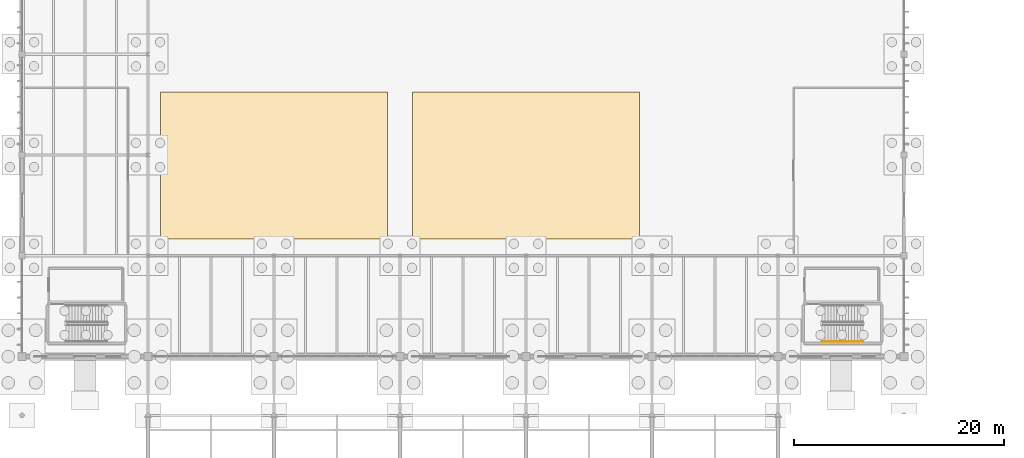
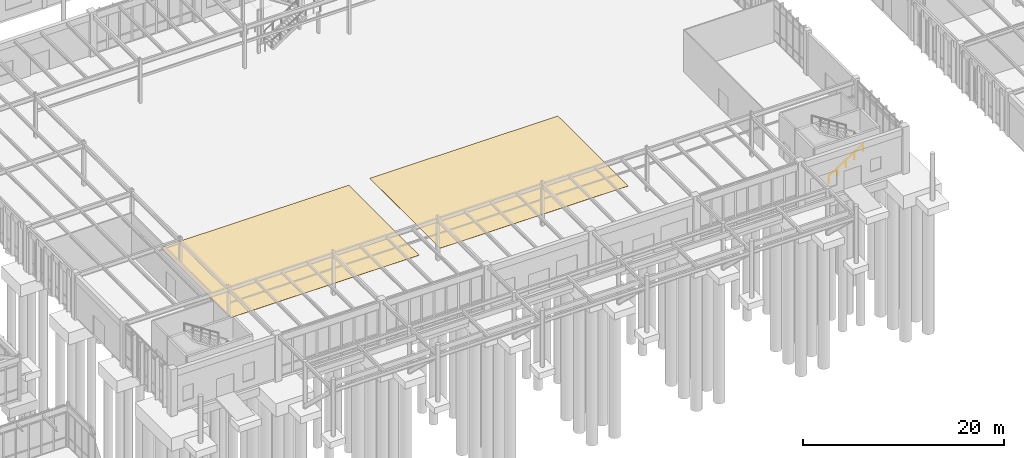
# One storey, part 175 of 188: 2 coverings, 1 railing.
"""IFC4 building model written with IfcOpenShell, lengths in metres."""

import ifcopenshell
import ifcopenshell.guid

model = None  # the IFC model being written
_history = None  # IfcOwnerHistory: only IFC2X3 demands one
_inside = {}  # id of a spatial element -> (the spatial element, [elements in it])
_under = {}  # id of a project, library or spatial element -> (it, [spatial elements below it])
_declared = {}  # id of a project -> (the project, [libraries it declares])
_typed = {}  # id of a type object -> (the type object, [elements of that type])
_made_of = {}  # id of a material, layer set ... -> (it, [elements and type objects made of it])


def new_model(schema):
    """Start an empty IFC model of exactly this schema.

    Asked for "IFC4X3", IfcOpenShell would pick the latest addendum, in which some entities
    have other attributes; the version numbers below select the first issue.
    IFC2X3 requires an IfcOwnerHistory on every rooted entity: one is made here for all.
    """
    global model, _history
    if schema == "IFC4X3":
        model = ifcopenshell.file(schema_version=(4, 3, 0, 0))
    else:
        model = ifcopenshell.file(schema=schema)
    _inside.clear()
    _under.clear()
    _declared.clear()
    _typed.clear()
    _made_of.clear()
    _history = None
    if model.schema == "IFC2X3":
        org = make("IfcOrganization", Name="unknown")
        user = make(
            "IfcPersonAndOrganization",
            ThePerson=make("IfcPerson", FamilyName="unknown"),
            TheOrganization=org,
        )
        app = make(
            "IfcApplication",
            ApplicationDeveloper=org,
            Version="unknown",
            ApplicationFullName="unknown",
            ApplicationIdentifier="unknown",
        )
        _history = make(
            "IfcOwnerHistory",
            OwningUser=user,
            OwningApplication=app,
            ChangeAction="ADDED",
            CreationDate=0,
        )
    return model


def make(cls, **values):
    """One entity of the class cls with the attributes given. An attribute that is None is left unset."""
    return model.create_entity(
        cls, **{name: value for name, value in values.items() if value is not None}
    )


def rooted(cls, **values):
    """An entity with a GlobalId (a new one), such as an element, a storey or a relation."""
    return make(cls, GlobalId=ifcopenshell.guid.new(), OwnerHistory=_history, **values)


def si_unit(unit_type, name, prefix=None):
    """IfcSIUnit, for example si_unit("LENGTHUNIT", "METRE", prefix="MILLI")."""
    return make("IfcSIUnit", UnitType=unit_type, Prefix=prefix, Name=name)


def assignment(units):
    """IfcUnitAssignment: the units of a project."""
    return None if units is None else make("IfcUnitAssignment", Units=units)


def point(xyz):
    """IfcCartesianPoint."""
    return None if xyz is None else make("IfcCartesianPoint", Coordinates=xyz)


def direction(xyz):
    """IfcDirection."""
    return None if xyz is None else make("IfcDirection", DirectionRatios=xyz)


def frame(location, z_axis=None, x_axis=None):
    """IfcAxis2Placement3D, a coordinate frame: its origin and axes. An axis left out is left unset."""
    return make(
        "IfcAxis2Placement3D",
        Location=point(location),
        Axis=direction(z_axis),
        RefDirection=direction(x_axis),
    )


def frame_2d(location, x_axis=None):
    """IfcAxis2Placement2D, a coordinate frame in the plane: its origin and x axis."""
    return make(
        "IfcAxis2Placement2D", Location=point(location), RefDirection=direction(x_axis)
    )


def origin():
    """The frame at (0, 0, 0) with its axes left unset."""
    return frame((0.0, 0.0, 0.0))


def origin_2d():
    """The frame at (0, 0) in the plane with its x axis left unset."""
    return frame_2d((0.0, 0.0))


def place(relative_to, where):
    """IfcLocalPlacement: puts the frame where relative to a parent placement (None: the world)."""
    return make(
        "IfcLocalPlacement", PlacementRelTo=relative_to, RelativePlacement=where
    )


def context(
    kind, dimensions, precision=None, world=None, true_north=None, identifier=None
):
    """IfcGeometricRepresentationContext, for example the 3D "Model" context."""
    return make(
        "IfcGeometricRepresentationContext",
        ContextIdentifier=identifier,
        ContextType=kind,
        CoordinateSpaceDimension=dimensions,
        Precision=precision,
        WorldCoordinateSystem=world,
        TrueNorth=true_north,
    )


def subcontext(parent, identifier, kind, view, scale=None):
    """IfcGeometricRepresentationSubContext, for example "Body" below "Model"."""
    return make(
        "IfcGeometricRepresentationSubContext",
        ContextIdentifier=identifier,
        ContextType=kind,
        ParentContext=parent,
        TargetScale=scale,
        TargetView=view,
    )


def project(units=None, contexts=None):
    """IfcProject with its units and contexts."""
    return rooted(
        "IfcProject",
        Name="project",
        RepresentationContexts=contexts,
        UnitsInContext=assignment(units),
    )


def spatial(cls, under=None, at=None, **own):
    """A site, building, storey or space (cls), placed at a placement, below another one or the project."""
    s = rooted(cls, ObjectPlacement=at, **own)
    if under is not None:
        _under.setdefault(under.id(), (under, []))[1].append(s)
    return s


def polyline(points):
    """IfcPolyline through the points."""
    return make("IfcPolyline", Points=[point(p) for p in points])


def profile(cls, at=None, kind="AREA", **sizes):
    """A parametric profile (cls). Its sizes go by their IFC names, for example OverallWidth=200.0."""
    return make(cls, ProfileType=kind, Position=at, **sizes)


def circle(**sizes):
    """IfcCircleProfileDef."""
    return profile("IfcCircleProfileDef", **sizes)


def outline(outer, holes=None, kind="AREA"):
    """IfcArbitraryClosedProfileDef: a profile drawn as a closed curve; with holes, ...WithVoids."""
    if holes is None:
        return make("IfcArbitraryClosedProfileDef", ProfileType=kind, OuterCurve=outer)
    return make(
        "IfcArbitraryProfileDefWithVoids",
        ProfileType=kind,
        OuterCurve=outer,
        InnerCurves=holes,
    )


def extrude(swept, where, along, depth):
    """IfcExtrudedAreaSolid: the profile swept, set in the frame where, extruded along a direction by depth."""
    return make(
        "IfcExtrudedAreaSolid",
        SweptArea=swept,
        Position=where,
        ExtrudedDirection=direction(along),
        Depth=depth,
    )


def shape(context_of_items, identifier, shape_type, items):
    """IfcShapeRepresentation: the items that make up one representation, for example the "Body"."""
    return make(
        "IfcShapeRepresentation",
        ContextOfItems=context_of_items,
        RepresentationIdentifier=identifier,
        RepresentationType=shape_type,
        Items=items,
    )


def material(Name=None, Category=None):
    """IfcMaterial."""
    return make("IfcMaterial", Name=Name, Category=Category)


def layer(
    of_material, thickness, ventilated=None, Name=None, Category=None, Priority=None
):
    """IfcMaterialLayer: one layer of a wall or slab, of a material (None: an air gap)."""
    return make(
        "IfcMaterialLayer",
        Material=of_material,
        LayerThickness=thickness,
        IsVentilated=ventilated,
        Name=Name,
        Category=Category,
        Priority=Priority,
    )


def layer_set(layers, Name=None):
    """IfcMaterialLayerSet."""
    return make("IfcMaterialLayerSet", MaterialLayers=layers, LayerSetName=Name)


def made_of(thing, what):
    """Note that an element or type object is made of a material, layer set ...; save() writes the relation."""
    if what is not None:
        _made_of.setdefault(what.id(), (what, []))[1].append(thing)
    return thing


def type_object(cls, material=None, **own):
    """A type object (cls), such as IfcWallType, which elements share."""
    return made_of(rooted(cls, **own), material)


def element(
    cls,
    number,
    at=None,
    inside=None,
    cuts=None,
    type_object=None,
    material=None,
    context=None,
    identifier="Body",
    shape_type=None,
    held_by="IfcProductDefinitionShape",
    body=None,
    shapes=None,
    **own,
):
    """One element of the class cls, such as IfcWall. Its Tag is "e" and its number.

    at: its placement. inside: the storey or other place that contains it. cuts: it is an
    opening in that element (IfcRelVoidsElement). A single representation is given by context,
    identifier, shape_type and body (its items); several are given by shapes. held_by: the class
    of the entity that holds the representations. save() writes the other relations.
    """
    e = rooted(cls, Tag="e%d" % number, ObjectPlacement=at, **own)
    if body is not None:
        shapes = [shape(context, identifier, shape_type, body)]
    if shapes is not None:
        e.Representation = make(held_by, Representations=shapes)
    if inside is not None:
        _inside.setdefault(inside.id(), (inside, []))[1].append(e)
    if cuts is not None:
        rooted(
            "IfcRelVoidsElement", RelatingBuildingElement=cuts, RelatedOpeningElement=e
        )
    if type_object is not None:
        _typed.setdefault(type_object.id(), (type_object, []))[1].append(e)
    return made_of(e, material)


def aggregate(whole, parts):
    """IfcRelAggregates: a whole, such as a stair, and the parts it consists of."""
    return rooted("IfcRelAggregates", RelatingObject=whole, RelatedObjects=parts)


def save(model, path):
    """Write the relations noted so far, then the file.

    IfcRelAggregates (storeys below a building ...), IfcRelContainedInSpatialStructure (elements
    in a storey), IfcRelDefinesByType, IfcRelAssociatesMaterial and IfcRelDeclares: one each for
    every whole, place, type object, material and project.
    """
    for whole, parts in _under.values():
        aggregate(whole, parts)
    for where, things in _inside.values():
        rooted(
            "IfcRelContainedInSpatialStructure",
            RelatedElements=things,
            RelatingStructure=where,
        )
    for kind, things in _typed.values():
        rooted("IfcRelDefinesByType", RelatedObjects=things, RelatingType=kind)
    for what, things in _made_of.values():
        rooted("IfcRelAssociatesMaterial", RelatedObjects=things, RelatingMaterial=what)
    for by, libraries in _declared.values():
        rooted("IfcRelDeclares", RelatingContext=by, RelatedDefinitions=libraries)
    model.write(path)


model = new_model("IFC4")

# Units and contexts
model_context = context("Model", 3, precision=1e-05, world=origin(), true_north=direction((0.0, 1.0)))
body_context = subcontext(model_context, "Body", "Model", "MODEL_VIEW")
ifc_project = project(units=[si_unit("LENGTHUNIT", "METRE"), si_unit("AREAUNIT", "SQUARE_METRE"), si_unit("VOLUMEUNIT", "CUBIC_METRE"), si_unit("PLANEANGLEUNIT", "RADIAN"), si_unit("MASSUNIT", "GRAM", prefix="KILO")], contexts=[model_context])

# Site, building, storey
site_placement = place(None, origin())
site = spatial("IfcSite", under=ifc_project, at=site_placement, CompositionType="ELEMENT")
building_placement = place(site_placement, origin())
building = spatial("IfcBuilding", under=site, at=building_placement, Name="Pandanus Reach Market Hall", CompositionType="ELEMENT")
storey_placement = place(building_placement, origin())
storey = spatial("IfcBuildingStorey", under=building, at=storey_placement, Name="L00", CompositionType="ELEMENT", Elevation=0.0)

# Coverings
ifc_material_1 = material(Name="Washable coved epoxy terrazzo flooring")
ifc_layer = layer(ifc_material_1, 0.014892578125, Name="FLR-EPX-15")
ifc_layer_set = layer_set([ifc_layer], Name="Washable coved epoxy terrazzo flooring")
covering_type = type_object("IfcCoveringType", Name="FLR-EPX-15", PredefinedType="FLOORING", material=ifc_layer_set)
covering_1_placement = place(storey_placement, origin())
element("IfcCovering", 1, at=covering_1_placement, inside=storey, type_object=covering_type, Name="Washable epoxy terrazzo flooring L00.2", PredefinedType="FLOORING", context=body_context, shape_type="SweptSolid", body=[
    extrude(outline(polyline([(61.199951171875, 40.0), (82.800048828125, 40.0), (82.800048828125, 54.0), (61.199951171875, 54.0), (61.199951171875, 40.0)])), origin(), (0.0, 0.0, 1.0), 0.014892578125),
])
covering_2_placement = place(storey_placement, origin())
element("IfcCovering", 2, at=covering_2_placement, inside=storey, type_object=covering_type, Name="Washable epoxy terrazzo flooring L00.3", PredefinedType="FLOORING", context=body_context, shape_type="SweptSolid", body=[
    extrude(outline(polyline([(85.199951171875, 40.0), (106.800048828125, 40.0), (106.800048828125, 54.0), (85.199951171875, 54.0), (85.199951171875, 40.0)])), origin(), (0.0, 0.0, 1.0), 0.014892578125),
])

# Railing
ifc_material_2 = material(Name="Brushed stainless steel", Category="steel")
railing_type = type_object("IfcRailingType", Name="HR-WAL-090", PredefinedType="HANDRAIL", material=ifc_material_2)
railing_placement = place(storey_placement, frame((124.199951171875, 30.25, 0.179931640625)))
element("IfcRailing", 3, at=railing_placement, inside=storey, type_object=railing_type, Name="Stair handrail ST-08 L00.144", PredefinedType="HANDRAIL", context=body_context, shape_type="SweptSolid", body=[
    extrude(circle(Radius=0.02392578125, at=origin_2d()), frame((0.0, 0.0, 0.8759765625), z_axis=(0.841186985886, 0.0, 0.540744352514), x_axis=(0.0, 1.0, 0.0)), (0.0, 0.0, 1.0), 4.660400390625),
    extrude(circle(Radius=0.02099609375, at=origin_2d()), origin(), (0.0, 0.0, 1.0), 0.851806640625),
    extrude(circle(Radius=0.02099609375, at=origin_2d()), frame((0.97998046875, 0.0, 0.6298828125)), (0.0, 0.0, 1.0), 0.851806640625),
    extrude(circle(Radius=0.02099609375, at=origin_2d()), frame((1.9599609375, 0.0, 1.260009765625)), (0.0, 0.0, 1.0), 0.851806640625),
    extrude(circle(Radius=0.02099609375, at=origin_2d()), frame((2.940185546875, 0.0, 1.89013671875)), (0.0, 0.0, 1.0), 0.851806640625),
    extrude(circle(Radius=0.02099609375, at=origin_2d()), frame((3.920166015625, 0.0, 2.52001953125)), (0.0, 0.0, 1.0), 0.851806640625),
])

save(model, "model.ifc")
